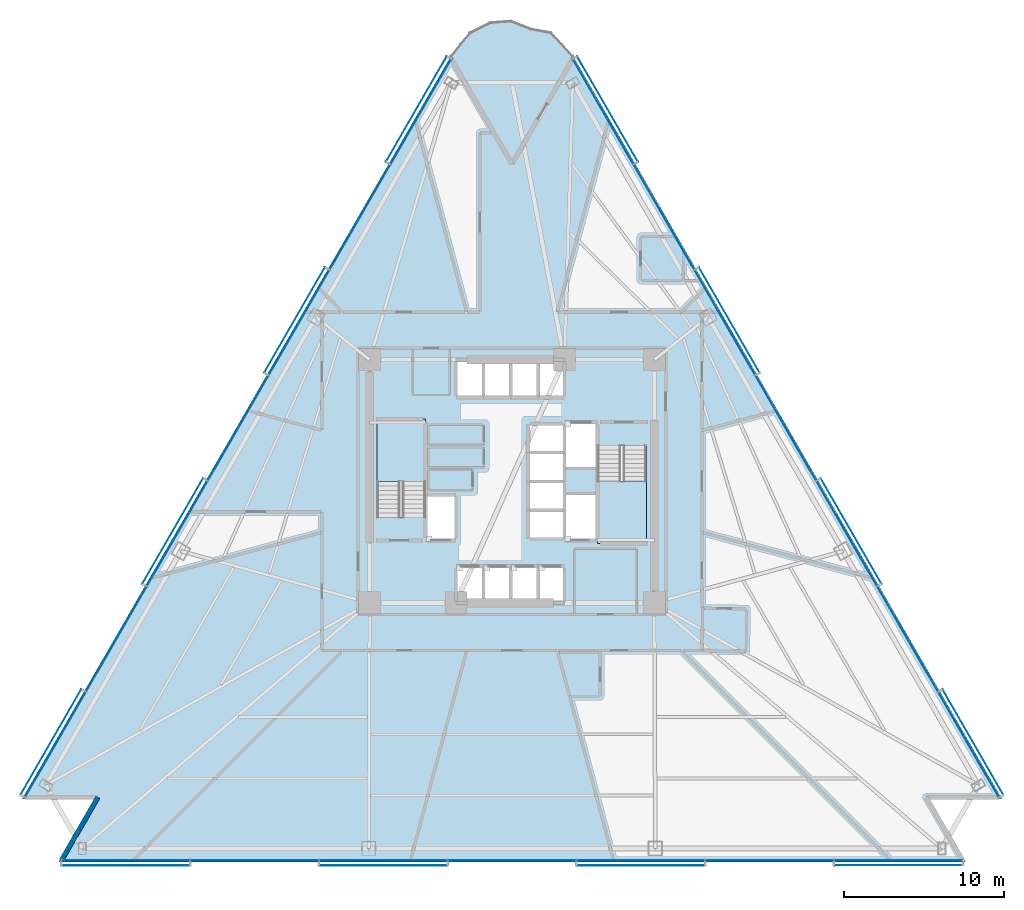
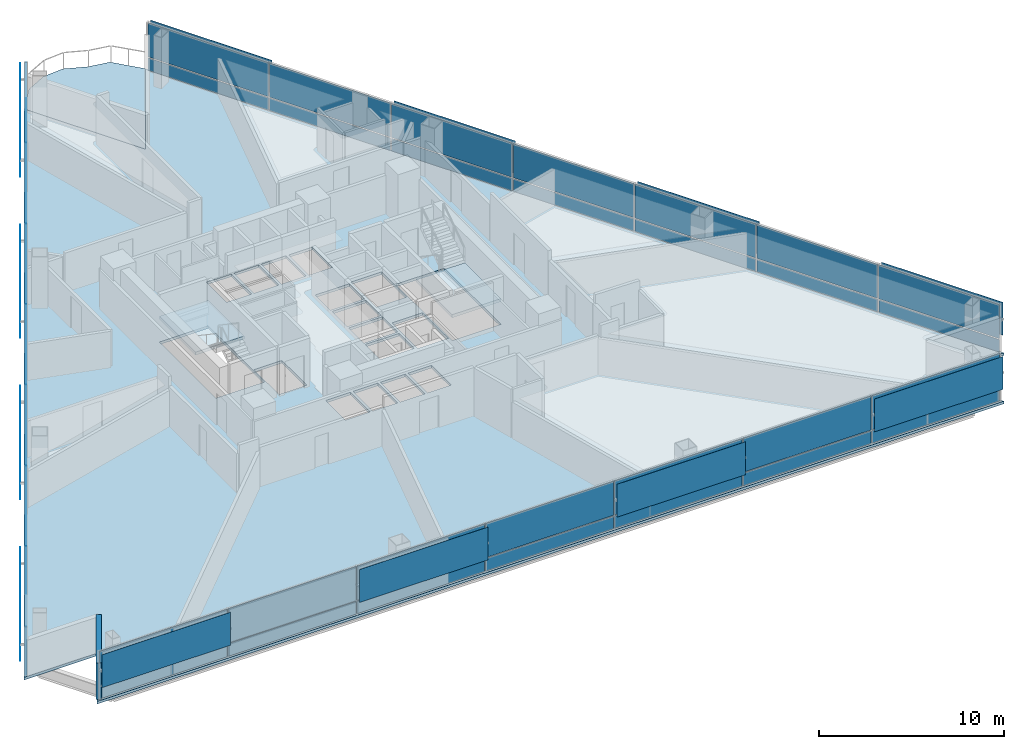
# One storey, part 6 of 16: 54 plates, 4 slabs, 1 wall, 5 elements without a shape of their own.
"""IFC4 building model written with IfcOpenShell, lengths in metres."""

from ifc_helpers import new_model, si_unit, direction, frame, frame_2d, origin, origin_2d, place, context, subcontext, project, spatial, polyline, rectangle, outline, extrude, material, layer, layer_set, type_object, element, aggregate, save


model = new_model("IFC4")

# Units and contexts
model_context = context("Model", 3, precision=1e-05, world=origin(), true_north=direction((0.0, 1.0)))
body_context = subcontext(model_context, "Body", "Model", "MODEL_VIEW")
ifc_project = project(units=[si_unit("LENGTHUNIT", "METRE"), si_unit("AREAUNIT", "SQUARE_METRE"), si_unit("VOLUMEUNIT", "CUBIC_METRE"), si_unit("PLANEANGLEUNIT", "RADIAN"), si_unit("MASSUNIT", "GRAM", prefix="KILO")], contexts=[model_context])

# Site, building, storey
site_placement = place(None, origin())
site = spatial("IfcSite", under=ifc_project, at=site_placement, CompositionType="ELEMENT")
building_placement = place(site_placement, origin())
building = spatial("IfcBuilding", under=site, at=building_placement, Name="Tharavind Bronze Gate", CompositionType="ELEMENT")
storey_placement = place(building_placement, frame((0.0, 0.0, 48.85009765625)))
storey = spatial("IfcBuildingStorey", under=building, at=storey_placement, Name="L11", CompositionType="ELEMENT", Elevation=48.85009765625)

# Plates
ifc_material_1 = material(Name="Perforated Bronze Alloy", Category="bronze")
ifc_layer_1 = layer(ifc_material_1, 0.011962890625)
ifc_layer_set_1 = layer_set([ifc_layer_1], Name="Perforated Bronze Alloy")
plate_type_1 = type_object("IfcPlateType", Name="BRONZE PERFORATED SOLAR SCREEN", PredefinedType="USERDEFINED", material=ifc_layer_set_1)
for number, where, z_axis, x_axis, name in (
    (1, (-5.976806640625, 23.27783203125, 0.97412109375), (0.0, 0.0, 1.0), (-0.500001511499, -0.866024531118, 0.0), "CW-L11-S1 perforated bronze solar screen 1"),
    (2, (-13.5927734375, 10.086669921875, 0.97412109375), (0.0, 0.0, 1.0), (-0.500001511499, -0.866024531118, 0.0), "CW-L11-S1 perforated bronze solar screen 3"),
    (3, (-21.208740234375, -3.1044921875, 0.97412109375), (0.0, 0.0, 1.0), (-0.500001511499, -0.866024531118, 0.0), "CW-L11-S1 perforated bronze solar screen 5"),
    (4, (-28.82470703125, -16.295654296875, 0.97412109375), (0.0, 0.0, 1.0), (-0.500001511499, -0.866024531118, 0.0), "CW-L11-S1 perforated bronze solar screen 7"),
):
    element("IfcPlate", number, at=place(storey_placement, frame(where, z_axis=z_axis, x_axis=x_axis)), inside=storey, type_object=plate_type_1, Name=name, ObjectType="SCREEN", PredefinedType="USERDEFINED", context=body_context, shape_type="SweptSolid", body=[
        extrude(rectangle(XDim=7.595947265625, YDim=0.011962890625, at=origin_2d()), origin(), (0.0, 0.0, 1.0), 2.177001953125),
    ])
for number, where, z_axis, x_axis, name in (
    (5, (-24.150634765625, -24.014892578125, 0.97412109375), (0.0, 0.0, 1.0), (1.0, 0.0, 0.0), "CW-L11-S2 perforated bronze solar screen 1"),
    (6, (-8.05029296875, -24.014892578125, 0.97412109375), (0.0, 0.0, 1.0), (1.0, 0.0, 0.0), "CW-L11-S2 perforated bronze solar screen 3"),
    (7, (8.05029296875, -24.014892578125, 0.97412109375), (0.0, 0.0, 1.0), (1.0, 0.0, 0.0), "CW-L11-S2 perforated bronze solar screen 5"),
    (8, (24.150634765625, -24.014892578125, 0.97412109375), (0.0, 0.0, 1.0), (1.0, 0.0, 0.0), "CW-L11-S2 perforated bronze solar screen 7"),
):
    element("IfcPlate", number, at=place(storey_placement, frame(where, z_axis=z_axis, x_axis=x_axis)), inside=storey, type_object=plate_type_1, Name=name, ObjectType="SCREEN", PredefinedType="USERDEFINED", context=body_context, shape_type="SweptSolid", body=[
        extrude(rectangle(XDim=8.0302734375, YDim=0.011962890625, at=origin_2d()), origin(), (0.0, 0.0, 1.0), 2.177001953125),
    ])
for number, where, z_axis, x_axis, name in (
    (9, (28.82470703125, -16.295654296875, 0.97412109375), (0.0, 0.0, 1.0), (-0.500001511499, 0.866024531118, 0.0), "CW-L11-S3 perforated bronze solar screen 1"),
    (10, (21.208740234375, -3.1044921875, 0.97412109375), (0.0, 0.0, 1.0), (-0.500001511499, 0.866024531118, 0.0), "CW-L11-S3 perforated bronze solar screen 3"),
    (11, (13.5927734375, 10.086669921875, 0.97412109375), (0.0, 0.0, 1.0), (-0.500001511499, 0.866024531118, 0.0), "CW-L11-S3 perforated bronze solar screen 5"),
    (12, (5.976806640625, 23.27783203125, 0.97412109375), (0.0, 0.0, 1.0), (-0.500001511499, 0.866024531118, 0.0), "CW-L11-S3 perforated bronze solar screen 7"),
):
    element("IfcPlate", number, at=place(storey_placement, frame(where, z_axis=z_axis, x_axis=x_axis)), inside=storey, type_object=plate_type_1, Name=name, ObjectType="SCREEN", PredefinedType="USERDEFINED", context=body_context, shape_type="SweptSolid", body=[
        extrude(rectangle(XDim=7.595947265625, YDim=0.011962890625, at=origin_2d()), origin(), (0.0, 0.0, 1.0), 2.177001953125),
    ])

# Curtain wall, plates
ifc_material_2 = material(Name="Anodised Bronze Aluminium", Category="aluminium")
ifc_layer_2 = layer(ifc_material_2, 0.219970703125)
ifc_layer_set_2 = layer_set([ifc_layer_2], Name="Anodised Bronze Aluminium")
curtain_wall_type = type_object("IfcCurtainWallType", Name="UNITISED CURTAIN WALL HOTEL", PredefinedType="USERDEFINED", material=ifc_layer_set_2)
curtain_wall_1_placement = place(storey_placement, origin())
curtain_wall_1 = element("IfcCurtainWall", 13, at=curtain_wall_1_placement, inside=storey, type_object=curtain_wall_type, Name="L11 unitised curtain wall hotel CW-L11-S1", ObjectType="UNITISED CURTAIN WALL", PredefinedType="USERDEFINED")
ifc_material_3 = material(Name="Patinated Bronze Alloy Sheet", Category="bronze")
ifc_layer_3 = layer(ifc_material_3, 0.01611328125)
ifc_layer_set_3 = layer_set([ifc_layer_3], Name="Patinated Bronze Alloy Sheet")
plate_type_2 = type_object("IfcPlateType", Name="BRONZE SPANDREL CLADDING PANEL 16", PredefinedType="CURTAIN_PANEL", material=ifc_layer_set_3)
plate_1_placement = place(storey_placement, frame((-5.7041015625, 23.120361328125, 0.033935546875), z_axis=(0.0, 0.0, 1.0), x_axis=(-0.500001511499, -0.866024531118, 0.0)))
plate_1 = element("IfcPlate", 14, at=plate_1_placement, type_object=plate_type_2, Name="CW-L11-S1 bronze spandrel panel 1", PredefinedType="CURTAIN_PANEL", context=body_context, shape_type="SweptSolid", body=[
    extrude(rectangle(XDim=7.5478515625, YDim=0.01611328125, at=origin_2d()), origin(), (0.0, 0.0, 1.0), 0.83203125),
])
plate_2_placement = place(storey_placement, frame((-9.511962890625, 16.52490234375, 0.033935546875), z_axis=(0.0, 0.0, 1.0), x_axis=(-0.500001511499, -0.866024531118, 0.0)))
plate_2 = element("IfcPlate", 15, at=plate_2_placement, type_object=plate_type_2, Name="CW-L11-S1 bronze spandrel panel 2", PredefinedType="CURTAIN_PANEL", context=body_context, shape_type="SweptSolid", body=[
    extrude(rectangle(XDim=7.5478515625, YDim=0.01611328125, at=origin_2d()), origin(), (0.0, 0.0, 1.0), 0.83203125),
])
plate_3_placement = place(storey_placement, frame((-13.31982421875, 9.92919921875, 0.033935546875), z_axis=(0.0, 0.0, 1.0), x_axis=(-0.500001511499, -0.866024531118, 0.0)))
plate_3 = element("IfcPlate", 16, at=plate_3_placement, type_object=plate_type_2, Name="CW-L11-S1 bronze spandrel panel 3", PredefinedType="CURTAIN_PANEL", context=body_context, shape_type="SweptSolid", body=[
    extrude(rectangle(XDim=7.5478515625, YDim=0.01611328125, at=origin_2d()), origin(), (0.0, 0.0, 1.0), 0.83203125),
])
plate_4_placement = place(storey_placement, frame((-17.1279296875, 3.33349609375, 0.033935546875), z_axis=(0.0, 0.0, 1.0), x_axis=(-0.500001511499, -0.866024531118, 0.0)))
plate_4 = element("IfcPlate", 17, at=plate_4_placement, type_object=plate_type_2, Name="CW-L11-S1 bronze spandrel panel 4", PredefinedType="CURTAIN_PANEL", context=body_context, shape_type="SweptSolid", body=[
    extrude(rectangle(XDim=7.5478515625, YDim=0.01611328125, at=origin_2d()), origin(), (0.0, 0.0, 1.0), 0.83203125),
])
plate_5_placement = place(storey_placement, frame((-20.935791015625, -3.261962890625, 0.033935546875), z_axis=(0.0, 0.0, 1.0), x_axis=(-0.500001511499, -0.866024531118, 0.0)))
plate_5 = element("IfcPlate", 18, at=plate_5_placement, type_object=plate_type_2, Name="CW-L11-S1 bronze spandrel panel 5", PredefinedType="CURTAIN_PANEL", context=body_context, shape_type="SweptSolid", body=[
    extrude(rectangle(XDim=7.5478515625, YDim=0.01611328125, at=origin_2d()), origin(), (0.0, 0.0, 1.0), 0.83203125),
])
plate_6_placement = place(storey_placement, frame((-24.743896484375, -9.857421875, 0.033935546875), z_axis=(0.0, 0.0, 1.0), x_axis=(-0.500001511499, -0.866024531118, 0.0)))
plate_6 = element("IfcPlate", 19, at=plate_6_placement, type_object=plate_type_2, Name="CW-L11-S1 bronze spandrel panel 6", PredefinedType="CURTAIN_PANEL", context=body_context, shape_type="SweptSolid", body=[
    extrude(rectangle(XDim=7.5478515625, YDim=0.01611328125, at=origin_2d()), origin(), (0.0, 0.0, 1.0), 0.83203125),
])
plate_7_placement = place(storey_placement, frame((-28.5517578125, -16.453125, 0.033935546875), z_axis=(0.0, 0.0, 1.0), x_axis=(-0.500001511499, -0.866024531118, 0.0)))
plate_7 = element("IfcPlate", 20, at=plate_7_placement, type_object=plate_type_2, Name="CW-L11-S1 bronze spandrel panel 7", PredefinedType="CURTAIN_PANEL", context=body_context, shape_type="SweptSolid", body=[
    extrude(rectangle(XDim=7.5478515625, YDim=0.01611328125, at=origin_2d()), origin(), (0.0, 0.0, 1.0), 0.83203125),
])

curtain_wall_2_placement = place(storey_placement, origin())
curtain_wall_2 = element("IfcCurtainWall", 21, at=curtain_wall_2_placement, inside=storey, type_object=curtain_wall_type, Name="L11 unitised curtain wall hotel CW-L11-S2", ObjectType="UNITISED CURTAIN WALL", PredefinedType="USERDEFINED")
plate_8_placement = place(storey_placement, frame((-24.150634765625, -23.699951171875, 0.033935546875), z_axis=(0.0, 0.0, 1.0), x_axis=(1.0, 0.0, 0.0)))
plate_8 = element("IfcPlate", 22, at=plate_8_placement, type_object=plate_type_2, Name="CW-L11-S2 bronze spandrel panel 1", PredefinedType="CURTAIN_PANEL", context=body_context, shape_type="SweptSolid", body=[
    extrude(rectangle(XDim=7.982177734375, YDim=0.01611328125, at=origin_2d()), origin(), (0.0, 0.0, 1.0), 0.83203125),
])
plate_9_placement = place(storey_placement, frame((-16.1005859375, -23.699951171875, 0.033935546875), z_axis=(0.0, 0.0, 1.0), x_axis=(1.0, 0.0, 0.0)))
plate_9 = element("IfcPlate", 23, at=plate_9_placement, type_object=plate_type_2, Name="CW-L11-S2 bronze spandrel panel 2", PredefinedType="CURTAIN_PANEL", context=body_context, shape_type="SweptSolid", body=[
    extrude(rectangle(XDim=7.982177734375, YDim=0.01611328125, at=origin_2d()), origin(), (0.0, 0.0, 1.0), 0.83203125),
])
plate_10_placement = place(storey_placement, frame((-8.05029296875, -23.699951171875, 0.033935546875), z_axis=(0.0, 0.0, 1.0), x_axis=(1.0, 0.0, 0.0)))
plate_10 = element("IfcPlate", 24, at=plate_10_placement, type_object=plate_type_2, Name="CW-L11-S2 bronze spandrel panel 3", PredefinedType="CURTAIN_PANEL", context=body_context, shape_type="SweptSolid", body=[
    extrude(rectangle(XDim=7.982177734375, YDim=0.01611328125, at=origin_2d()), origin(), (0.0, 0.0, 1.0), 0.83203125),
])
plate_11_placement = place(storey_placement, frame((0.0, -23.699951171875, 0.033935546875), z_axis=(0.0, 0.0, 1.0), x_axis=(1.0, 0.0, 0.0)))
plate_11 = element("IfcPlate", 25, at=plate_11_placement, type_object=plate_type_2, Name="CW-L11-S2 bronze spandrel panel 4", PredefinedType="CURTAIN_PANEL", context=body_context, shape_type="SweptSolid", body=[
    extrude(rectangle(XDim=7.982177734375, YDim=0.01611328125, at=origin_2d()), origin(), (0.0, 0.0, 1.0), 0.83203125),
])
plate_12_placement = place(storey_placement, frame((8.05029296875, -23.699951171875, 0.033935546875), z_axis=(0.0, 0.0, 1.0), x_axis=(1.0, 0.0, 0.0)))
plate_12 = element("IfcPlate", 26, at=plate_12_placement, type_object=plate_type_2, Name="CW-L11-S2 bronze spandrel panel 5", PredefinedType="CURTAIN_PANEL", context=body_context, shape_type="SweptSolid", body=[
    extrude(rectangle(XDim=7.982177734375, YDim=0.01611328125, at=origin_2d()), origin(), (0.0, 0.0, 1.0), 0.83203125),
])
plate_13_placement = place(storey_placement, frame((16.1005859375, -23.699951171875, 0.033935546875), z_axis=(0.0, 0.0, 1.0), x_axis=(1.0, 0.0, 0.0)))
plate_13 = element("IfcPlate", 27, at=plate_13_placement, type_object=plate_type_2, Name="CW-L11-S2 bronze spandrel panel 6", PredefinedType="CURTAIN_PANEL", context=body_context, shape_type="SweptSolid", body=[
    extrude(rectangle(XDim=7.982177734375, YDim=0.01611328125, at=origin_2d()), origin(), (0.0, 0.0, 1.0), 0.83203125),
])
plate_14_placement = place(storey_placement, frame((24.150634765625, -23.699951171875, 0.033935546875), z_axis=(0.0, 0.0, 1.0), x_axis=(1.0, 0.0, 0.0)))
plate_14 = element("IfcPlate", 28, at=plate_14_placement, type_object=plate_type_2, Name="CW-L11-S2 bronze spandrel panel 7", PredefinedType="CURTAIN_PANEL", context=body_context, shape_type="SweptSolid", body=[
    extrude(rectangle(XDim=7.982177734375, YDim=0.01611328125, at=origin_2d()), origin(), (0.0, 0.0, 1.0), 0.83203125),
])

curtain_wall_3_placement = place(storey_placement, origin())
curtain_wall_3 = element("IfcCurtainWall", 29, at=curtain_wall_3_placement, inside=storey, type_object=curtain_wall_type, Name="L11 unitised curtain wall hotel CW-L11-S3", ObjectType="UNITISED CURTAIN WALL", PredefinedType="USERDEFINED")
plate_15_placement = place(storey_placement, frame((28.5517578125, -16.453125, 0.033935546875), z_axis=(0.0, 0.0, 1.0), x_axis=(-0.500001511499, 0.866024531118, 0.0)))
plate_15 = element("IfcPlate", 30, at=plate_15_placement, type_object=plate_type_2, Name="CW-L11-S3 bronze spandrel panel 1", PredefinedType="CURTAIN_PANEL", context=body_context, shape_type="SweptSolid", body=[
    extrude(rectangle(XDim=7.5478515625, YDim=0.01611328125, at=origin_2d()), origin(), (0.0, 0.0, 1.0), 0.83203125),
])
plate_16_placement = place(storey_placement, frame((24.743896484375, -9.857421875, 0.033935546875), z_axis=(0.0, 0.0, 1.0), x_axis=(-0.500001511499, 0.866024531118, 0.0)))
plate_16 = element("IfcPlate", 31, at=plate_16_placement, type_object=plate_type_2, Name="CW-L11-S3 bronze spandrel panel 2", PredefinedType="CURTAIN_PANEL", context=body_context, shape_type="SweptSolid", body=[
    extrude(rectangle(XDim=7.5478515625, YDim=0.01611328125, at=origin_2d()), origin(), (0.0, 0.0, 1.0), 0.83203125),
])
plate_17_placement = place(storey_placement, frame((20.935791015625, -3.261962890625, 0.033935546875), z_axis=(0.0, 0.0, 1.0), x_axis=(-0.500001511499, 0.866024531118, 0.0)))
plate_17 = element("IfcPlate", 32, at=plate_17_placement, type_object=plate_type_2, Name="CW-L11-S3 bronze spandrel panel 3", PredefinedType="CURTAIN_PANEL", context=body_context, shape_type="SweptSolid", body=[
    extrude(rectangle(XDim=7.5478515625, YDim=0.01611328125, at=origin_2d()), origin(), (0.0, 0.0, 1.0), 0.83203125),
])
plate_18_placement = place(storey_placement, frame((17.1279296875, 3.33349609375, 0.033935546875), z_axis=(0.0, 0.0, 1.0), x_axis=(-0.500001511499, 0.866024531118, 0.0)))
plate_18 = element("IfcPlate", 33, at=plate_18_placement, type_object=plate_type_2, Name="CW-L11-S3 bronze spandrel panel 4", PredefinedType="CURTAIN_PANEL", context=body_context, shape_type="SweptSolid", body=[
    extrude(rectangle(XDim=7.5478515625, YDim=0.01611328125, at=origin_2d()), origin(), (0.0, 0.0, 1.0), 0.83203125),
])
plate_19_placement = place(storey_placement, frame((13.31982421875, 9.92919921875, 0.033935546875), z_axis=(0.0, 0.0, 1.0), x_axis=(-0.500001511499, 0.866024531118, 0.0)))
plate_19 = element("IfcPlate", 34, at=plate_19_placement, type_object=plate_type_2, Name="CW-L11-S3 bronze spandrel panel 5", PredefinedType="CURTAIN_PANEL", context=body_context, shape_type="SweptSolid", body=[
    extrude(rectangle(XDim=7.5478515625, YDim=0.01611328125, at=origin_2d()), origin(), (0.0, 0.0, 1.0), 0.83203125),
])
plate_20_placement = place(storey_placement, frame((9.511962890625, 16.52490234375, 0.033935546875), z_axis=(0.0, 0.0, 1.0), x_axis=(-0.500001511499, 0.866024531118, 0.0)))
plate_20 = element("IfcPlate", 35, at=plate_20_placement, type_object=plate_type_2, Name="CW-L11-S3 bronze spandrel panel 6", PredefinedType="CURTAIN_PANEL", context=body_context, shape_type="SweptSolid", body=[
    extrude(rectangle(XDim=7.5478515625, YDim=0.01611328125, at=origin_2d()), origin(), (0.0, 0.0, 1.0), 0.83203125),
])
plate_21_placement = place(storey_placement, frame((5.7041015625, 23.120361328125, 0.033935546875), z_axis=(0.0, 0.0, 1.0), x_axis=(-0.500001511499, 0.866024531118, 0.0)))
plate_21 = element("IfcPlate", 36, at=plate_21_placement, type_object=plate_type_2, Name="CW-L11-S3 bronze spandrel panel 7", PredefinedType="CURTAIN_PANEL", context=body_context, shape_type="SweptSolid", body=[
    extrude(rectangle(XDim=7.5478515625, YDim=0.01611328125, at=origin_2d()), origin(), (0.0, 0.0, 1.0), 0.83203125),
])

# Plate
ifc_material_4 = material(Name="Low-E Double Glazing", Category="glass")
ifc_layer_4 = layer(ifc_material_4, 0.031982421875)
ifc_layer_set_4 = layer_set([ifc_layer_4], Name="Low-E Double Glazing")
plate_type_3 = type_object("IfcPlateType", Name="DOUBLE GLAZED FACADE PANEL 32", PredefinedType="CURTAIN_PANEL", material=ifc_layer_set_4)
plate_22_placement = place(storey_placement, frame((-5.7041015625, 23.120361328125, 0.93408203125), z_axis=(0.0, 0.0, 1.0), x_axis=(-0.500001511499, -0.866024531118, 0.0)))
plate_22 = element("IfcPlate", 37, at=plate_22_placement, type_object=plate_type_3, Name="CW-L11-S1 vision glazing panel 1", PredefinedType="CURTAIN_PANEL", context=body_context, shape_type="SweptSolid", body=[
    extrude(rectangle(XDim=7.5478515625, YDim=0.031982421875, at=origin_2d()), origin(), (0.0, 0.0, 1.0), 2.257080078125),
])

plate_23_placement = place(storey_placement, frame((-9.511962890625, 16.52490234375, 0.93408203125), z_axis=(0.0, 0.0, 1.0), x_axis=(-0.500001511499, -0.866024531118, 0.0)))
plate_23 = element("IfcPlate", 38, at=plate_23_placement, type_object=plate_type_3, Name="CW-L11-S1 vision glazing panel 2", PredefinedType="CURTAIN_PANEL", context=body_context, shape_type="SweptSolid", body=[
    extrude(rectangle(XDim=7.5478515625, YDim=0.031982421875, at=origin_2d()), origin(), (0.0, 0.0, 1.0), 2.257080078125),
])

plate_24_placement = place(storey_placement, frame((-13.31982421875, 9.92919921875, 0.93408203125), z_axis=(0.0, 0.0, 1.0), x_axis=(-0.500001511499, -0.866024531118, 0.0)))
plate_24 = element("IfcPlate", 39, at=plate_24_placement, type_object=plate_type_3, Name="CW-L11-S1 vision glazing panel 3", PredefinedType="CURTAIN_PANEL", context=body_context, shape_type="SweptSolid", body=[
    extrude(rectangle(XDim=7.5478515625, YDim=0.031982421875, at=origin_2d()), origin(), (0.0, 0.0, 1.0), 2.257080078125),
])

plate_25_placement = place(storey_placement, frame((-17.1279296875, 3.33349609375, 0.93408203125), z_axis=(0.0, 0.0, 1.0), x_axis=(-0.500001511499, -0.866024531118, 0.0)))
plate_25 = element("IfcPlate", 40, at=plate_25_placement, type_object=plate_type_3, Name="CW-L11-S1 vision glazing panel 4", PredefinedType="CURTAIN_PANEL", context=body_context, shape_type="SweptSolid", body=[
    extrude(rectangle(XDim=7.5478515625, YDim=0.031982421875, at=origin_2d()), origin(), (0.0, 0.0, 1.0), 2.257080078125),
])

plate_26_placement = place(storey_placement, frame((-20.935791015625, -3.261962890625, 0.93408203125), z_axis=(0.0, 0.0, 1.0), x_axis=(-0.500001511499, -0.866024531118, 0.0)))
plate_26 = element("IfcPlate", 41, at=plate_26_placement, type_object=plate_type_3, Name="CW-L11-S1 vision glazing panel 5", PredefinedType="CURTAIN_PANEL", context=body_context, shape_type="SweptSolid", body=[
    extrude(rectangle(XDim=7.5478515625, YDim=0.031982421875, at=origin_2d()), origin(), (0.0, 0.0, 1.0), 2.257080078125),
])

plate_27_placement = place(storey_placement, frame((-24.743896484375, -9.857421875, 0.93408203125), z_axis=(0.0, 0.0, 1.0), x_axis=(-0.500001511499, -0.866024531118, 0.0)))
plate_27 = element("IfcPlate", 42, at=plate_27_placement, type_object=plate_type_3, Name="CW-L11-S1 vision glazing panel 6", PredefinedType="CURTAIN_PANEL", context=body_context, shape_type="SweptSolid", body=[
    extrude(rectangle(XDim=7.5478515625, YDim=0.031982421875, at=origin_2d()), origin(), (0.0, 0.0, 1.0), 2.257080078125),
])

plate_28_placement = place(storey_placement, frame((-28.5517578125, -16.453125, 0.93408203125), z_axis=(0.0, 0.0, 1.0), x_axis=(-0.500001511499, -0.866024531118, 0.0)))
plate_28 = element("IfcPlate", 43, at=plate_28_placement, type_object=plate_type_3, Name="CW-L11-S1 vision glazing panel 7", PredefinedType="CURTAIN_PANEL", context=body_context, shape_type="SweptSolid", body=[
    extrude(rectangle(XDim=7.5478515625, YDim=0.031982421875, at=origin_2d()), origin(), (0.0, 0.0, 1.0), 2.257080078125),
])

aggregate(curtain_wall_1, [plate_1, plate_22, plate_2, plate_23, plate_3, plate_24, plate_4, plate_25, plate_5, plate_26, plate_6, plate_27, plate_7, plate_28])

plate_29_placement = place(storey_placement, frame((-24.150634765625, -23.699951171875, 0.93408203125), z_axis=(0.0, 0.0, 1.0), x_axis=(1.0, 0.0, 0.0)))
plate_29 = element("IfcPlate", 44, at=plate_29_placement, type_object=plate_type_3, Name="CW-L11-S2 vision glazing panel 1", PredefinedType="CURTAIN_PANEL", context=body_context, shape_type="SweptSolid", body=[
    extrude(rectangle(XDim=7.982177734375, YDim=0.031982421875, at=origin_2d()), origin(), (0.0, 0.0, 1.0), 2.257080078125),
])

plate_30_placement = place(storey_placement, frame((-16.1005859375, -23.699951171875, 0.93408203125), z_axis=(0.0, 0.0, 1.0), x_axis=(1.0, 0.0, 0.0)))
plate_30 = element("IfcPlate", 45, at=plate_30_placement, type_object=plate_type_3, Name="CW-L11-S2 vision glazing panel 2", PredefinedType="CURTAIN_PANEL", context=body_context, shape_type="SweptSolid", body=[
    extrude(rectangle(XDim=7.982177734375, YDim=0.031982421875, at=origin_2d()), origin(), (0.0, 0.0, 1.0), 2.257080078125),
])

plate_31_placement = place(storey_placement, frame((-8.05029296875, -23.699951171875, 0.93408203125), z_axis=(0.0, 0.0, 1.0), x_axis=(1.0, 0.0, 0.0)))
plate_31 = element("IfcPlate", 46, at=plate_31_placement, type_object=plate_type_3, Name="CW-L11-S2 vision glazing panel 3", PredefinedType="CURTAIN_PANEL", context=body_context, shape_type="SweptSolid", body=[
    extrude(rectangle(XDim=7.982177734375, YDim=0.031982421875, at=origin_2d()), origin(), (0.0, 0.0, 1.0), 2.257080078125),
])

plate_32_placement = place(storey_placement, frame((0.0, -23.699951171875, 0.93408203125), z_axis=(0.0, 0.0, 1.0), x_axis=(1.0, 0.0, 0.0)))
plate_32 = element("IfcPlate", 47, at=plate_32_placement, type_object=plate_type_3, Name="CW-L11-S2 vision glazing panel 4", PredefinedType="CURTAIN_PANEL", context=body_context, shape_type="SweptSolid", body=[
    extrude(rectangle(XDim=7.982177734375, YDim=0.031982421875, at=origin_2d()), origin(), (0.0, 0.0, 1.0), 2.257080078125),
])

plate_33_placement = place(storey_placement, frame((8.05029296875, -23.699951171875, 0.93408203125), z_axis=(0.0, 0.0, 1.0), x_axis=(1.0, 0.0, 0.0)))
plate_33 = element("IfcPlate", 48, at=plate_33_placement, type_object=plate_type_3, Name="CW-L11-S2 vision glazing panel 5", PredefinedType="CURTAIN_PANEL", context=body_context, shape_type="SweptSolid", body=[
    extrude(rectangle(XDim=7.982177734375, YDim=0.031982421875, at=origin_2d()), origin(), (0.0, 0.0, 1.0), 2.257080078125),
])

plate_34_placement = place(storey_placement, frame((16.1005859375, -23.699951171875, 0.93408203125), z_axis=(0.0, 0.0, 1.0), x_axis=(1.0, 0.0, 0.0)))
plate_34 = element("IfcPlate", 49, at=plate_34_placement, type_object=plate_type_3, Name="CW-L11-S2 vision glazing panel 6", PredefinedType="CURTAIN_PANEL", context=body_context, shape_type="SweptSolid", body=[
    extrude(rectangle(XDim=7.982177734375, YDim=0.031982421875, at=origin_2d()), origin(), (0.0, 0.0, 1.0), 2.257080078125),
])

plate_35_placement = place(storey_placement, frame((24.150634765625, -23.699951171875, 0.93408203125), z_axis=(0.0, 0.0, 1.0), x_axis=(1.0, 0.0, 0.0)))
plate_35 = element("IfcPlate", 50, at=plate_35_placement, type_object=plate_type_3, Name="CW-L11-S2 vision glazing panel 7", PredefinedType="CURTAIN_PANEL", context=body_context, shape_type="SweptSolid", body=[
    extrude(rectangle(XDim=7.982177734375, YDim=0.031982421875, at=origin_2d()), origin(), (0.0, 0.0, 1.0), 2.257080078125),
])

aggregate(curtain_wall_2, [plate_8, plate_29, plate_9, plate_30, plate_10, plate_31, plate_11, plate_32, plate_12, plate_33, plate_13, plate_34, plate_14, plate_35])

plate_36_placement = place(storey_placement, frame((28.5517578125, -16.453125, 0.93408203125), z_axis=(0.0, 0.0, 1.0), x_axis=(-0.500001511499, 0.866024531118, 0.0)))
plate_36 = element("IfcPlate", 51, at=plate_36_placement, type_object=plate_type_3, Name="CW-L11-S3 vision glazing panel 1", PredefinedType="CURTAIN_PANEL", context=body_context, shape_type="SweptSolid", body=[
    extrude(rectangle(XDim=7.5478515625, YDim=0.031982421875, at=origin_2d()), origin(), (0.0, 0.0, 1.0), 2.257080078125),
])

plate_37_placement = place(storey_placement, frame((24.743896484375, -9.857421875, 0.93408203125), z_axis=(0.0, 0.0, 1.0), x_axis=(-0.500001511499, 0.866024531118, 0.0)))
plate_37 = element("IfcPlate", 52, at=plate_37_placement, type_object=plate_type_3, Name="CW-L11-S3 vision glazing panel 2", PredefinedType="CURTAIN_PANEL", context=body_context, shape_type="SweptSolid", body=[
    extrude(rectangle(XDim=7.5478515625, YDim=0.031982421875, at=origin_2d()), origin(), (0.0, 0.0, 1.0), 2.257080078125),
])

plate_38_placement = place(storey_placement, frame((20.935791015625, -3.261962890625, 0.93408203125), z_axis=(0.0, 0.0, 1.0), x_axis=(-0.500001511499, 0.866024531118, 0.0)))
plate_38 = element("IfcPlate", 53, at=plate_38_placement, type_object=plate_type_3, Name="CW-L11-S3 vision glazing panel 3", PredefinedType="CURTAIN_PANEL", context=body_context, shape_type="SweptSolid", body=[
    extrude(rectangle(XDim=7.5478515625, YDim=0.031982421875, at=origin_2d()), origin(), (0.0, 0.0, 1.0), 2.257080078125),
])

plate_39_placement = place(storey_placement, frame((17.1279296875, 3.33349609375, 0.93408203125), z_axis=(0.0, 0.0, 1.0), x_axis=(-0.500001511499, 0.866024531118, 0.0)))
plate_39 = element("IfcPlate", 54, at=plate_39_placement, type_object=plate_type_3, Name="CW-L11-S3 vision glazing panel 4", PredefinedType="CURTAIN_PANEL", context=body_context, shape_type="SweptSolid", body=[
    extrude(rectangle(XDim=7.5478515625, YDim=0.031982421875, at=origin_2d()), origin(), (0.0, 0.0, 1.0), 2.257080078125),
])

plate_40_placement = place(storey_placement, frame((13.31982421875, 9.92919921875, 0.93408203125), z_axis=(0.0, 0.0, 1.0), x_axis=(-0.500001511499, 0.866024531118, 0.0)))
plate_40 = element("IfcPlate", 55, at=plate_40_placement, type_object=plate_type_3, Name="CW-L11-S3 vision glazing panel 5", PredefinedType="CURTAIN_PANEL", context=body_context, shape_type="SweptSolid", body=[
    extrude(rectangle(XDim=7.5478515625, YDim=0.031982421875, at=origin_2d()), origin(), (0.0, 0.0, 1.0), 2.257080078125),
])

plate_41_placement = place(storey_placement, frame((9.511962890625, 16.52490234375, 0.93408203125), z_axis=(0.0, 0.0, 1.0), x_axis=(-0.500001511499, 0.866024531118, 0.0)))
plate_41 = element("IfcPlate", 56, at=plate_41_placement, type_object=plate_type_3, Name="CW-L11-S3 vision glazing panel 6", PredefinedType="CURTAIN_PANEL", context=body_context, shape_type="SweptSolid", body=[
    extrude(rectangle(XDim=7.5478515625, YDim=0.031982421875, at=origin_2d()), origin(), (0.0, 0.0, 1.0), 2.257080078125),
])

plate_42_placement = place(storey_placement, frame((5.7041015625, 23.120361328125, 0.93408203125), z_axis=(0.0, 0.0, 1.0), x_axis=(-0.500001511499, 0.866024531118, 0.0)))
plate_42 = element("IfcPlate", 57, at=plate_42_placement, type_object=plate_type_3, Name="CW-L11-S3 vision glazing panel 7", PredefinedType="CURTAIN_PANEL", context=body_context, shape_type="SweptSolid", body=[
    extrude(rectangle(XDim=7.5478515625, YDim=0.031982421875, at=origin_2d()), origin(), (0.0, 0.0, 1.0), 2.257080078125),
])

aggregate(curtain_wall_3, [plate_15, plate_36, plate_16, plate_37, plate_17, plate_38, plate_18, plate_39, plate_19, plate_40, plate_20, plate_41, plate_21, plate_42])

# Slab
ifc_material_5 = material(Name="Concrete C40/50", Category="concrete")
ifc_layer_5 = layer(ifc_material_5, 0.175048828125)
ifc_layer_set_5 = layer_set([ifc_layer_5], Name="Concrete C40/50")
slab_type_1 = type_object("IfcSlabType", Name="EXTERIOR BALCONY SLAB 175", PredefinedType="FLOOR", material=ifc_layer_set_5)
slab_1_placement = place(storey_placement, frame((0.0, 0.0, -0.175048828125)))
element("IfcSlab", 58, at=slab_1_placement, inside=storey, type_object=slab_type_1, Name="L11 northeast tree balcony slab", PredefinedType="FLOOR", context=body_context, shape_type="SweptSolid", body=[
    extrude(outline(polyline([(2.44384765625, 28.1181640625), (1.17724609375, 28.349609375), (-0.089599609375, 28.847900390625), (-1.356201171875, 28.7490234375), (-2.622802734375, 28.1181640625), (-3.800048828125, 26.6181640625), (0.0, 20.036376953125), (3.800048828125, 26.6181640625), (2.44384765625, 28.1181640625)])), origin(), (0.0, 0.0, 1.0), 0.175048828125),
])

# Stair, slab
stair_type = type_object("IfcStairType", Name="CORE HALF TURN STAIR 1450", PredefinedType="HALF_TURN_STAIR", material=ifc_material_5)
stair_1_placement = place(storey_placement, origin())
stair_1 = element("IfcStair", 59, at=stair_1_placement, inside=storey, type_object=stair_type, Name="L11 Protected Exit Stair ST1", PredefinedType="HALF_TURN_STAIR")
ifc_layer_6 = layer(ifc_material_5, 0.199951171875)
ifc_layer_set_6 = layer_set([ifc_layer_6], Name="Concrete C40/50")
slab_type_2 = type_object("IfcSlabType", Name="STAIR LANDING SLAB 200", PredefinedType="LANDING", material=ifc_layer_set_6)
slab_2_placement = place(storey_placement, frame((0.0, 0.0, 1.5)))
slab_2 = element("IfcSlab", 60, at=slab_2_placement, type_object=slab_type_2, Name="ST1 landing 1", PredefinedType="LANDING", context=body_context, shape_type="SweptSolid", body=[
    extrude(outline(polyline([(-5.39990234375, -0.010009765625), (-5.39990234375, 3.89990234375), (-8.449951171875, 3.89990234375), (-8.449951171875, -0.010009765625), (-5.39990234375, -0.010009765625)])), origin(), (0.0, 0.0, 1.0), 0.199951171875),
])
aggregate(stair_1, [slab_2])

stair_2_placement = place(storey_placement, origin())
stair_2 = element("IfcStair", 61, at=stair_2_placement, inside=storey, type_object=stair_type, Name="L11 Protected Exit Stair ST2", PredefinedType="HALF_TURN_STAIR")
slab_3_placement = place(storey_placement, frame((0.0, 0.0, 1.5)))
slab_3 = element("IfcSlab", 62, at=slab_3_placement, type_object=slab_type_2, Name="ST2 landing 1", PredefinedType="LANDING", context=body_context, shape_type="SweptSolid", body=[
    extrude(outline(polyline([(5.35009765625, 0.010009765625), (5.35009765625, -3.89990234375), (8.39990234375, -3.89990234375), (8.39990234375, 0.010009765625), (5.35009765625, 0.010009765625)])), origin(), (0.0, 0.0, 1.0), 0.199951171875),
])
aggregate(stair_2, [slab_3])

# Slab
ifc_layer_7 = layer(ifc_material_5, 0.175048828125)
ifc_layer_set_7 = layer_set([ifc_layer_7], Name="Concrete C40/50")
slab_type_3 = type_object("IfcSlabType", Name="STRUCTURAL FLOOR SLAB 175", PredefinedType="FLOOR", material=ifc_layer_set_7)
slab_4_placement = place(storey_placement, frame((0.0, 0.0, -0.175048828125)))
element("IfcSlab", 63, at=slab_4_placement, inside=storey, type_object=slab_type_3, Name="L11 main structural floor slab", PredefinedType="FLOOR", context=body_context, shape_type="SweptSolid", body=[
    extrude(outline(polyline([(3.800048828125, 26.6181640625), (0.0, 20.036376953125), (-3.800048828125, 26.6181640625), (-30.62890625, -19.850830078125), (-26.069091796875, -19.850830078125), (-28.34912109375, -23.800048828125), (28.34912109375, -23.800048828125), (26.069091796875, -19.850830078125), (30.62890625, -19.850830078125), (3.800048828125, 26.6181640625)]), holes=[polyline([(-5.39990234375, -2.215087890625), (-5.39990234375, 3.89990234375), (-8.449951171875, 3.89990234375), (-8.449951171875, -2.215087890625), (-5.39990234375, -2.215087890625)]), polyline([(5.35009765625, 2.215087890625), (5.35009765625, -3.89990234375), (8.39990234375, -3.89990234375), (8.39990234375, 2.215087890625), (5.35009765625, 2.215087890625)]), polyline([(-3.419921875, -7.52001953125), (-1.867431640625, -7.52001953125), (-1.867431640625, -5.3798828125), (-3.419921875, -5.3798828125), (-3.419921875, -7.52001953125)]), polyline([(-1.70751953125, -7.52001953125), (-0.155029296875, -7.52001953125), (-0.155029296875, -5.3798828125), (-1.70751953125, -5.3798828125), (-1.70751953125, -7.52001953125)]), polyline([(0.0048828125, -7.52001953125), (1.5576171875, -7.52001953125), (1.5576171875, -5.3798828125), (0.0048828125, -5.3798828125), (0.0048828125, -7.52001953125)]), polyline([(1.717529296875, -7.52001953125), (3.199951171875, -7.52001953125), (3.199951171875, -5.3798828125), (1.717529296875, -5.3798828125), (1.717529296875, -7.52001953125)]), polyline([(-3.419921875, 5.330078125), (-1.867431640625, 5.330078125), (-1.867431640625, 7.52001953125), (-3.419921875, 7.52001953125), (-3.419921875, 5.330078125)]), polyline([(-1.70751953125, 5.330078125), (-0.155029296875, 5.330078125), (-0.155029296875, 7.52001953125), (-1.70751953125, 7.52001953125), (-1.70751953125, 5.330078125)]), polyline([(0.0048828125, 5.330078125), (1.5576171875, 5.330078125), (1.5576171875, 7.52001953125), (0.0048828125, 7.52001953125), (0.0048828125, 5.330078125)]), polyline([(1.717529296875, 5.330078125), (3.199951171875, 5.330078125), (3.199951171875, 7.52001953125), (1.717529296875, 7.52001953125), (1.717529296875, 5.330078125)]), polyline([(1.080078125, -3.52001953125), (3.199951171875, -3.52001953125), (3.199951171875, -1.8798828125), (1.080078125, -1.8798828125), (1.080078125, -3.52001953125)]), polyline([(1.080078125, -1.719970703125), (3.199951171875, -1.719970703125), (3.199951171875, -0.080078125), (1.080078125, -0.080078125), (1.080078125, -1.719970703125)]), polyline([(1.080078125, 0.080078125), (3.199951171875, 0.080078125), (3.199951171875, 1.719970703125), (1.080078125, 1.719970703125), (1.080078125, 0.080078125)]), polyline([(1.080078125, 1.8798828125), (3.199951171875, 1.8798828125), (3.199951171875, 3.52001953125), (1.080078125, 3.52001953125), (1.080078125, 1.8798828125)]), polyline([(-5.320068359375, -3.6201171875), (-3.580078125, -3.6201171875), (-3.580078125, -0.929931640625), (-5.320068359375, -0.929931640625), (-5.320068359375, -3.6201171875)]), polyline([(3.360107421875, 0.8798828125), (5.27001953125, 0.8798828125), (5.27001953125, 3.6201171875), (3.360107421875, 3.6201171875), (3.360107421875, 0.8798828125)]), polyline([(3.360107421875, -3.6201171875), (5.27001953125, -3.6201171875), (5.27001953125, -0.830078125), (3.360107421875, -0.830078125), (3.360107421875, -3.6201171875)])]), origin(), (0.0, 0.0, 1.0), 0.175048828125),
])

# Wall
ifc_layer_8 = layer(ifc_material_5, 0.300048828125)
ifc_layer_set_8 = layer_set([ifc_layer_8], Name="Concrete C40/50")
wall_type = type_object("IfcWallType", Name="EXTERIOR SPANDREL WALL 300", PredefinedType="STANDARD", material=ifc_layer_set_8)
wall_placement = place(storey_placement, frame((-25.895751953125, -19.7509765625, 0.0), z_axis=(0.0, 0.0, 1.0), x_axis=(-0.500014431597, -0.866017071537, 0.0)))
element("IfcWall", 64, at=wall_placement, inside=storey, type_object=wall_type, Name="L11 notch cheek wall 2B", PredefinedType="STANDARD", context=body_context, shape_type="SweptSolid", body=[
    extrude(rectangle(XDim=4.559814453125, YDim=0.300048828125, at=frame_2d((2.27978515625, 0.0))), origin(), (0.0, 0.0, 1.0), 2.419921875),
])

save(model, "model.ifc")
